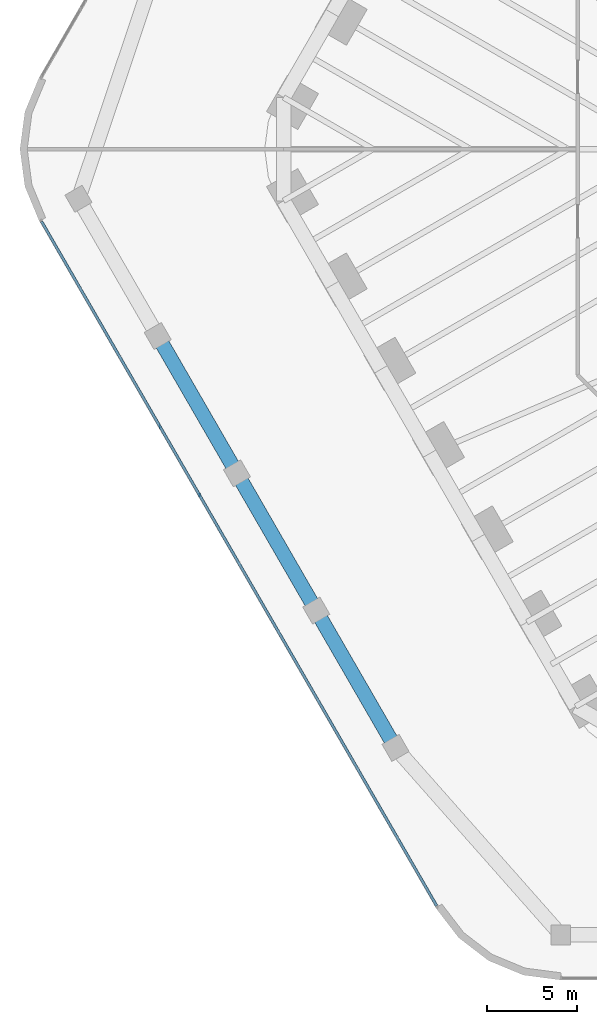
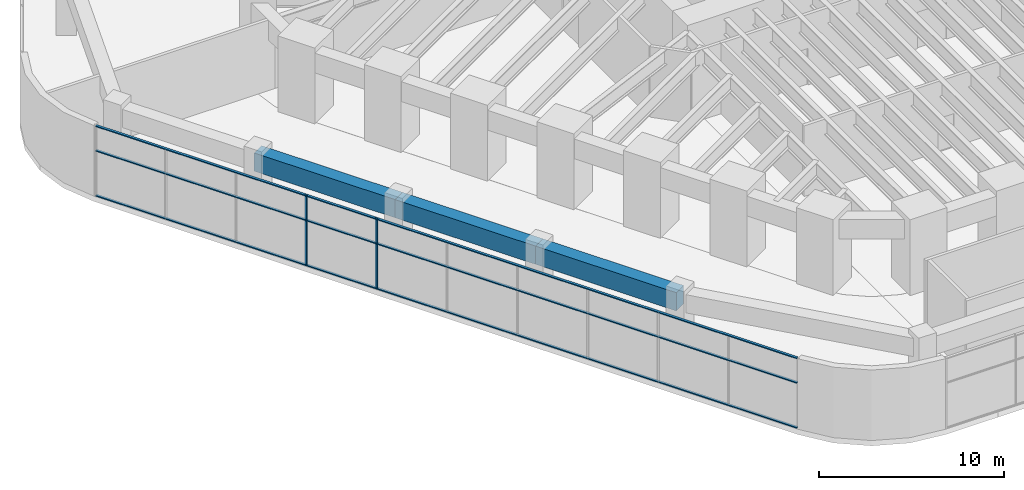
# One storey, part 3 of 31: 5 members, 3 beams, 1 element without a shape of its own.
"""IFC4 building model written with IfcOpenShell, lengths in metres."""

from ifc_helpers import new_model, si_unit, direction, frame, origin, origin_2d, place, context, subcontext, project, spatial, rectangle, extrude, material, material_profile, profile_set, type_object, element, aggregate, save


model = new_model("IFC4")

# Units and contexts
model_context = context("Model", 3, precision=1e-05, world=origin(), true_north=direction((0.0, 1.0)))
body_context = subcontext(model_context, "Body", "Model", "MODEL_VIEW")
ifc_project = project(units=[si_unit("LENGTHUNIT", "METRE"), si_unit("AREAUNIT", "SQUARE_METRE"), si_unit("VOLUMEUNIT", "CUBIC_METRE"), si_unit("PLANEANGLEUNIT", "RADIAN"), si_unit("MASSUNIT", "GRAM", prefix="KILO")], contexts=[model_context])

# Site, building, storey
site_placement = place(None, origin())
site = spatial("IfcSite", under=ifc_project, at=site_placement, CompositionType="ELEMENT")
building_placement = place(site_placement, origin())
building = spatial("IfcBuilding", under=site, at=building_placement, Name="Tarfa Lantern Tower", CompositionType="ELEMENT")
storey_placement = place(building_placement, frame((0.0, 0.0, 18.5)))
storey = spatial("IfcBuildingStorey", under=building, at=storey_placement, Name="L03", CompositionType="ELEMENT", Elevation=18.5)

# Curtain wall, members
ifc_material_1 = material(Name="Aluminium framed curtain wall", Category="aluminium")
curtain_wall_type = type_object("IfcCurtainWallType", Name="CW7 PODIUM GLAZING 4650", PredefinedType="USERDEFINED", material=ifc_material_1)
curtain_wall_placement = place(storey_placement, origin())
curtain_wall = element("IfcCurtainWall", 1, at=curtain_wall_placement, inside=storey, type_object=curtain_wall_type, Name="CW7 SW L03", ObjectType="CURTAIN WALL", PredefinedType="USERDEFINED")
ifc_material_2 = material(Name="Aluminium mullion", Category="aluminium")
ifc_material_profile_1 = material_profile(ifc_material_2, rectangle(XDim=0.06494140625, YDim=0.199951171875, at=origin_2d()), Name="AL MULLION 65x200")
ifc_profile_set_1 = profile_set([ifc_material_profile_1], Name="Aluminium mullion")
member_type_1 = type_object("IfcMemberType", Name="CWM1 MULLION 65x200", PredefinedType="MULLION", material=ifc_profile_set_1)
member_1_placement = place(storey_placement, frame((-44.138427734375, -15.35009765625, 0.0), z_axis=(0.0, 0.0, 1.0), x_axis=(1.0, 0.0, 0.0)))
member_1 = element("IfcMember", 2, at=member_1_placement, type_object=member_type_1, Name="CW7 mullion 4", PredefinedType="MULLION", context=body_context, shape_type="SweptSolid", body=[
    extrude(rectangle(XDim=0.06494140625, YDim=0.199951171875, at=origin_2d()), origin(), (0.0, 0.0, 1.0), 4.64990234375),
])
member_2_placement = place(storey_placement, frame((-41.944580078125, -19.14990234375, 0.0), z_axis=(0.0, 0.0, 1.0), x_axis=(1.0, 0.0, 0.0)))
member_2 = element("IfcMember", 3, at=member_2_placement, type_object=member_type_1, Name="CW7 mullion 5", PredefinedType="MULLION", context=body_context, shape_type="SweptSolid", body=[
    extrude(rectangle(XDim=0.06494140625, YDim=0.199951171875, at=origin_2d()), origin(), (0.0, 0.0, 1.0), 4.64990234375),
])
ifc_material_3 = material(Name="Aluminium transom", Category="aluminium")
ifc_material_profile_2 = material_profile(ifc_material_3, rectangle(XDim=0.14990234375, YDim=0.06494140625, at=origin_2d()), Name="AL TRANSOM 150x65")
ifc_profile_set_2 = profile_set([ifc_material_profile_2], Name="Aluminium transom")
member_type_2 = type_object("IfcMemberType", Name="CWT1 TRANSOM 150x65", PredefinedType="USERDEFINED", material=ifc_profile_set_2)
member_3_placement = place(storey_placement, frame((-50.687744140625, -4.00634765625, 0.032470703125), z_axis=(0.499998927597, -0.866026022936, 0.0), x_axis=(0.866026022936, 0.499998927597, 0.0)))
member_3 = element("IfcMember", 4, at=member_3_placement, type_object=member_type_2, Name="CW7 transom 1.1", ObjectType="TRANSOM", PredefinedType="USERDEFINED", context=body_context, shape_type="SweptSolid", body=[
    extrude(rectangle(XDim=0.14990234375, YDim=0.06494140625, at=origin_2d()), origin(), (0.0, 0.0, 1.0), 43.74853515625),
])
member_4_placement = place(storey_placement, frame((-50.687744140625, -4.00634765625, 3.0), z_axis=(0.499998927597, -0.866026022936, 0.0), x_axis=(0.866026022936, 0.499998927597, 0.0)))
member_4 = element("IfcMember", 5, at=member_4_placement, type_object=member_type_2, Name="CW7 transom 1.2", ObjectType="TRANSOM", PredefinedType="USERDEFINED", context=body_context, shape_type="SweptSolid", body=[
    extrude(rectangle(XDim=0.14990234375, YDim=0.06494140625, at=origin_2d()), origin(), (0.0, 0.0, 1.0), 43.74853515625),
])
member_5_placement = place(storey_placement, frame((-50.687744140625, -4.00634765625, 4.617431640625), z_axis=(0.499998927597, -0.866026022936, 0.0), x_axis=(0.866026022936, 0.499998927597, 0.0)))
member_5 = element("IfcMember", 6, at=member_5_placement, type_object=member_type_2, Name="CW7 transom 1.3", ObjectType="TRANSOM", PredefinedType="USERDEFINED", context=body_context, shape_type="SweptSolid", body=[
    extrude(rectangle(XDim=0.14990234375, YDim=0.06494140625, at=origin_2d()), origin(), (0.0, 0.0, 1.0), 43.74853515625),
])
aggregate(curtain_wall, [member_1, member_2, member_3, member_4, member_5])

# Beams
ifc_material_4 = material(Name="Concrete C80/95", Category="concrete")
ifc_material_profile_3 = material_profile(ifc_material_4, rectangle(XDim=0.800048828125, YDim=1.199951171875, at=origin_2d()), Name="RC 800x1200")
ifc_profile_set_3 = profile_set([ifc_material_profile_3], Name="Concrete C80/95")
beam_type = type_object("IfcBeamType", Name="PB2 RC 800x1200", PredefinedType="BEAM", material=ifc_profile_set_3)
for number, where, z_axis, x_axis, name in (
    (7, (-44.25390625, -10.35009765625, 4.050048828125), (0.500013843384, -0.866017411155, 0.0), (0.866017411155, 0.500013843384, 0.0), "Podium ring beam SW1"),
    (8, (-39.865966796875, -17.949951171875, 4.050048828125), (0.499980931779, -0.866036412547, 0.0), (0.866036412547, 0.499980931779, 0.0), "Podium ring beam SW2"),
    (9, (-35.478271484375, -25.550048828125, 4.050048828125), (0.500013843384, -0.866017411155, 0.0), (0.866017411155, 0.500013843384, 0.0), "Podium ring beam SW3"),
):
    element("IfcBeam", number, at=place(storey_placement, frame(where, z_axis=z_axis, x_axis=x_axis)), inside=storey, type_object=beam_type, Name=name, PredefinedType="BEAM", context=body_context, shape_type="SweptSolid", body=[
        extrude(rectangle(XDim=0.800048828125, YDim=1.199951171875, at=origin_2d()), origin(), (0.0, 0.0, 1.0), 8.775634765625),
    ])

save(model, "model.ifc")
